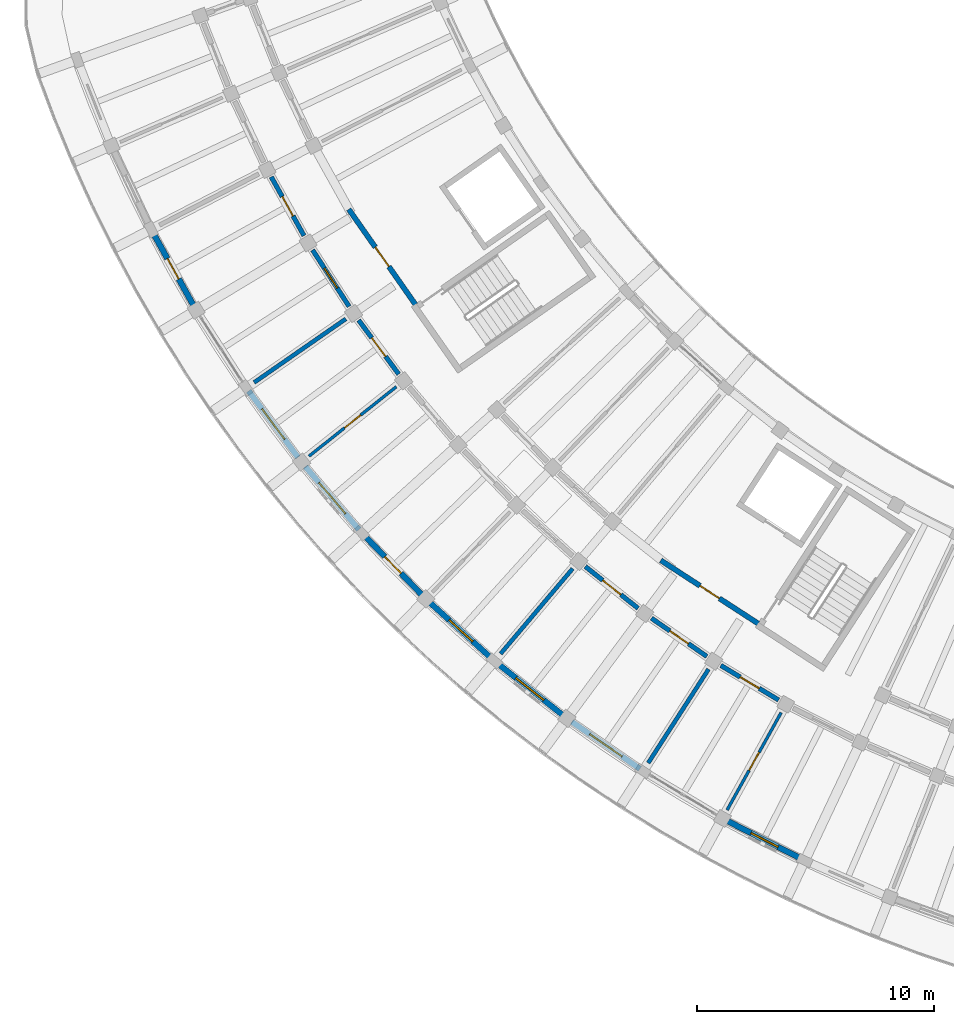
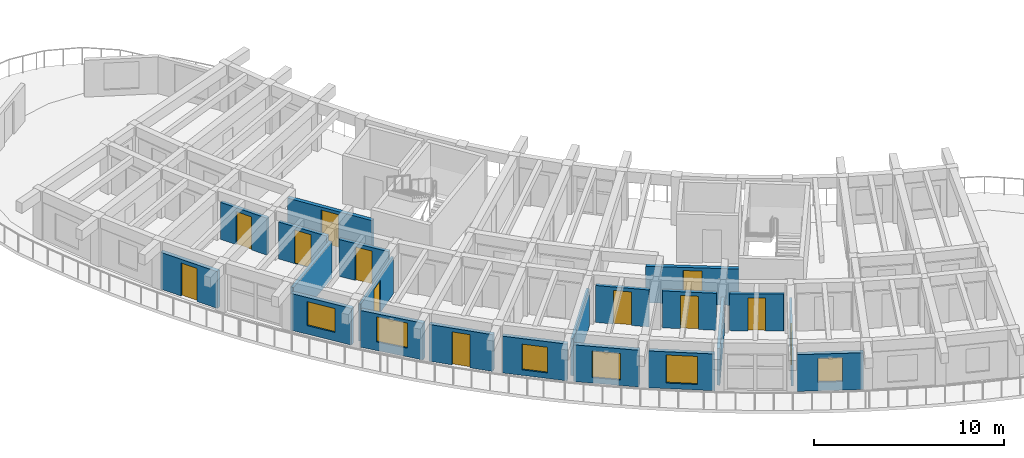
# One storey, part 37 of 78: 21 walls, 12 doors, 6 windows, 18 openings.
"""IFC4 building model written with IfcOpenShell, lengths in metres."""

from ifc_helpers import new_model, si_unit, direction, frame, frame_2d, origin, place, context, subcontext, project, spatial, rectangle, extrude, material, layer, layer_set, type_object, element, fill, save


model = new_model("IFC4")

# Units and contexts
model_context = context("Model", 3, precision=1e-05, world=origin(), true_north=direction((0.0, 1.0)))
body_context = subcontext(model_context, "Body", "Model", "MODEL_VIEW")
ifc_project = project(units=[si_unit("LENGTHUNIT", "METRE"), si_unit("AREAUNIT", "SQUARE_METRE"), si_unit("VOLUMEUNIT", "CUBIC_METRE"), si_unit("PLANEANGLEUNIT", "RADIAN"), si_unit("MASSUNIT", "GRAM", prefix="KILO")], contexts=[model_context])

# Site, building, storey
site_placement = place(None, origin())
site = spatial("IfcSite", under=ifc_project, at=site_placement, CompositionType="ELEMENT")
building_placement = place(site_placement, origin())
building = spatial("IfcBuilding", under=site, at=building_placement, Name="Tanwirah Colonnade Gardens", CompositionType="ELEMENT")
storey_placement = place(building_placement, frame((0.0, 0.0, 22.280029296875)))
storey = spatial("IfcBuildingStorey", under=building, at=storey_placement, Name="L06", CompositionType="ELEMENT", Elevation=22.280029296875)

# Wall, opening, door
ifc_material_1 = material(Name="Limestone architectural precast concrete C40/50", Category="masonry")
ifc_layer_1 = layer(ifc_material_1, 0.2451171875)
ifc_layer_set_1 = layer_set([ifc_layer_1], Name="Limestone architectural precast concrete C40/50")
wall_type_1 = type_object("IfcWallType", Name="EW-PC245", PredefinedType="SOLIDWALL", material=ifc_layer_set_1)
wall_1_placement = place(storey_placement, frame((12.136962890625, 37.09375, 0.0), z_axis=(0.0, 0.0, 1.0), x_axis=(0.486706738221, -0.87356542455, 0.0)))
wall_1 = element("IfcWall", 1, at=wall_1_placement, inside=storey, type_object=wall_type_1, Name="Block C L06 OUT Precast Facade Wall 3", PredefinedType="SOLIDWALL", context=body_context, shape_type="SweptSolid", body=[
    extrude(rectangle(XDim=3.48681640625, YDim=0.2451171875, at=frame_2d((1.743408203125, 0.0))), origin(), (0.0, 0.0, 1.0), 2.35498046875),
])
opening_1_placement = place(wall_1_placement, frame((1.25341796875, 0.0, 0.0)))
opening_1 = element("IfcOpeningElement", 2, at=opening_1_placement, cuts=wall_1, Name="Opening L06-ED154", PredefinedType="OPENING", context=body_context, shape_type="SweptSolid", body=[
    extrude(rectangle(XDim=0.97998046875, YDim=2.1201171875, at=frame_2d((0.489990234375, 1.06005859375))), frame((0.0, 0.132568359375, 0.0), z_axis=(0.0, -1.0, 0.0), x_axis=(1.0, 0.0, 0.0)), (0.0, 0.0, 1.0), 0.26513671875),
])
ifc_material_2 = material(Name="Bronze aluminium glazed balcony door", Category="aluminium")
door_type_1 = type_object("IfcDoorType", Name="ED-BAL098", OperationType="NOTDEFINED", PredefinedType="DOOR", material=ifc_material_2)
door_1_placement = place(opening_1_placement, origin())
door_1 = element("IfcDoor", 3, at=door_1_placement, inside=storey, type_object=door_type_1, Name="Balcony glazed door L06-ED154", OperationType="SINGLE_SWING_RIGHT", OverallHeight=2.1201171875, OverallWidth=0.97998046875, PredefinedType="DOOR", context=body_context, shape_type="SweptSolid", body=[
    extrude(rectangle(XDim=0.97998046875, YDim=2.1201171875, at=frame_2d((0.489990234375, 1.06005859375))), frame((0.0, 0.02490234375, 0.0), z_axis=(0.0, -1.0, 0.0), x_axis=(1.0, 0.0, 0.0)), (0.0, 0.0, 1.0), 0.050048828125),
])
fill(opening_1, door_1)

# Wall, opening, window
wall_2_placement = place(storey_placement, frame((16.166259765625, 30.42822265625, 0.0), z_axis=(0.0, 0.0, 1.0), x_axis=(0.596611432616, -0.802530247699, 0.0)))
wall_2 = element("IfcWall", 4, at=wall_2_placement, inside=storey, type_object=wall_type_1, Name="Block C L06 OUT Precast Facade Wall 5", PredefinedType="SOLIDWALL", context=body_context, shape_type="SweptSolid", body=[
    extrude(rectangle(XDim=3.48681640625, YDim=0.2451171875, at=frame_2d((1.743408203125, 0.0))), origin(), (0.0, 0.0, 1.0), 2.35498046875),
])
opening_2_placement = place(wall_2_placement, frame((0.943359375, 0.0, 0.550048828125)))
opening_2 = element("IfcOpeningElement", 5, at=opening_2_placement, cuts=wall_2, Name="Opening WIN-U12", PredefinedType="OPENING", context=body_context, shape_type="SweptSolid", body=[
    extrude(rectangle(XDim=1.60009765625, YDim=1.534912109375, at=frame_2d((0.800048828125, 0.767578125))), frame((0.0, 0.132568359375, 0.0), z_axis=(0.0, -1.0, 0.0), x_axis=(1.0, 0.0, 0.0)), (0.0, 0.0, 1.0), 0.26513671875),
])
ifc_material_3 = material(Name="Thermally broken bronze aluminium and solar low-E double glazing", Category="aluminium")
window_type_1 = type_object("IfcWindowType", Name="WIN-U12", PartitioningType="DOUBLE_PANEL_VERTICAL", PredefinedType="WINDOW", material=ifc_material_3)
window_1_placement = place(opening_2_placement, origin())
window_1 = element("IfcWindow", 6, at=window_1_placement, inside=storey, type_object=window_type_1, Name="Facade window C-L06-OUT-05", OverallHeight=1.534912109375, OverallWidth=1.60009765625, PartitioningType="SINGLE_PANEL", PredefinedType="WINDOW", context=body_context, shape_type="SweptSolid", body=[
    extrude(rectangle(XDim=1.60009765625, YDim=1.534912109375, at=frame_2d((0.800048828125, 0.767578125))), frame((0.0, 0.030029296875, 0.0), z_axis=(0.0, -1.0, 0.0), x_axis=(1.0, 0.0, 0.0)), (0.0, 0.0, 1.0), 0.06005859375),
])
fill(opening_2, window_1)

wall_3_placement = place(storey_placement, frame((18.5576171875, 27.23876953125, 0.0), z_axis=(0.0, 0.0, 1.0), x_axis=(0.647811002696, -0.761801092665, 0.0)))
wall_3 = element("IfcWall", 7, at=wall_3_placement, inside=storey, type_object=wall_type_1, Name="Block C L06 OUT Precast Facade Wall 6", PredefinedType="SOLIDWALL", context=body_context, shape_type="SweptSolid", body=[
    extrude(rectangle(XDim=3.48681640625, YDim=0.2451171875, at=frame_2d((1.743408203125, 0.0))), origin(), (0.0, 0.0, 1.0), 2.35498046875),
])
opening_3_placement = place(wall_3_placement, frame((0.88330078125, 0.0, 0.550048828125)))
opening_3 = element("IfcOpeningElement", 8, at=opening_3_placement, cuts=wall_3, Name="Opening WIN-U15", PredefinedType="OPENING", context=body_context, shape_type="SweptSolid", body=[
    extrude(rectangle(XDim=1.719970703125, YDim=1.610107421875, at=frame_2d((0.85986328125, 0.80517578125))), frame((0.0, 0.132568359375, 0.0), z_axis=(0.0, -1.0, 0.0), x_axis=(1.0, 0.0, 0.0)), (0.0, 0.0, 1.0), 0.26513671875),
])
window_type_2 = type_object("IfcWindowType", Name="WIN-U15", PartitioningType="DOUBLE_PANEL_VERTICAL", PredefinedType="WINDOW", material=ifc_material_3)
window_2_placement = place(opening_3_placement, origin())
window_2 = element("IfcWindow", 9, at=window_2_placement, inside=storey, type_object=window_type_2, Name="Facade window C-L06-OUT-06", OverallHeight=1.610107421875, OverallWidth=1.719970703125, PartitioningType="SINGLE_PANEL", PredefinedType="WINDOW", context=body_context, shape_type="SweptSolid", body=[
    extrude(rectangle(XDim=1.719970703125, YDim=1.610107421875, at=frame_2d((0.85986328125, 0.80517578125))), frame((0.0, 0.030029296875, 0.0), z_axis=(0.0, -1.0, 0.0), x_axis=(1.0, 0.0, 0.0)), (0.0, 0.0, 1.0), 0.06005859375),
])
fill(opening_3, window_2)

# Wall, opening, door
wall_4_placement = place(storey_placement, frame((21.031494140625, 24.345703125, 0.0), z_axis=(0.0, 0.0, 1.0), x_axis=(0.696205978342, -0.717842068788, 0.0)))
wall_4 = element("IfcWall", 10, at=wall_4_placement, inside=storey, type_object=wall_type_1, Name="Block C L06 OUT Precast Facade Wall 7", PredefinedType="SOLIDWALL", context=body_context, shape_type="SweptSolid", body=[
    extrude(rectangle(XDim=3.48681640625, YDim=0.2451171875, at=frame_2d((1.743408203125, 0.0))), origin(), (0.0, 0.0, 1.0), 2.35498046875),
])
opening_4_placement = place(wall_4_placement, frame((1.25341796875, 0.0, 0.0)))
opening_4 = element("IfcOpeningElement", 11, at=opening_4_placement, cuts=wall_4, Name="Opening L06-ED155", PredefinedType="OPENING", context=body_context, shape_type="SweptSolid", body=[
    extrude(rectangle(XDim=0.97998046875, YDim=2.1201171875, at=frame_2d((0.489990234375, 1.06005859375))), frame((0.0, 0.132568359375, 0.0), z_axis=(0.0, -1.0, 0.0), x_axis=(1.0, 0.0, 0.0)), (0.0, 0.0, 1.0), 0.26513671875),
])
door_2_placement = place(opening_4_placement, origin())
door_2 = element("IfcDoor", 12, at=door_2_placement, inside=storey, type_object=door_type_1, Name="Balcony glazed door L06-ED155", OperationType="SINGLE_SWING_RIGHT", OverallHeight=2.1201171875, OverallWidth=0.97998046875, PredefinedType="DOOR", context=body_context, shape_type="SweptSolid", body=[
    extrude(rectangle(XDim=0.97998046875, YDim=2.1201171875, at=frame_2d((0.489990234375, 1.06005859375))), frame((0.0, 0.02490234375, 0.0), z_axis=(0.0, -1.0, 0.0), x_axis=(1.0, 0.0, 0.0)), (0.0, 0.0, 1.0), 0.050048828125),
])
fill(opening_4, door_2)

# Wall, opening, window
wall_5_placement = place(storey_placement, frame((23.818603515625, 21.49560546875, 0.0), z_axis=(0.0, 0.0, 1.0), x_axis=(0.741648568445, -0.670788641022, 0.0)))
wall_5 = element("IfcWall", 13, at=wall_5_placement, inside=storey, type_object=wall_type_1, Name="Block C L06 OUT Precast Facade Wall 8", PredefinedType="SOLIDWALL", context=body_context, shape_type="SweptSolid", body=[
    extrude(rectangle(XDim=3.48681640625, YDim=0.2451171875, at=frame_2d((1.743408203125, 0.0))), origin(), (0.0, 0.0, 1.0), 2.35498046875),
])
opening_5_placement = place(wall_5_placement, frame((1.068359375, 0.0, 0.35009765625)))
opening_5 = element("IfcOpeningElement", 14, at=opening_5_placement, cuts=wall_5, Name="Opening WIN-T05", PredefinedType="OPENING", context=body_context, shape_type="SweptSolid", body=[
    extrude(rectangle(XDim=1.35009765625, YDim=1.64990234375, at=frame_2d((0.675048828125, 0.824951171875))), frame((0.0, 0.132568359375, 0.0), z_axis=(0.0, -1.0, 0.0), x_axis=(1.0, 0.0, 0.0)), (0.0, 0.0, 1.0), 0.26513671875),
])
window_type_3 = type_object("IfcWindowType", Name="WIN-T05", PartitioningType="DOUBLE_PANEL_VERTICAL", PredefinedType="WINDOW", material=ifc_material_3)
window_3_placement = place(opening_5_placement, origin())
window_3 = element("IfcWindow", 15, at=window_3_placement, inside=storey, type_object=window_type_3, Name="Facade window C-L06-OUT-08", OverallHeight=1.64990234375, OverallWidth=1.35009765625, PartitioningType="SINGLE_PANEL", PredefinedType="WINDOW", context=body_context, shape_type="SweptSolid", body=[
    extrude(rectangle(XDim=1.35009765625, YDim=1.64990234375, at=frame_2d((0.675048828125, 0.824951171875))), frame((0.0, 0.030029296875, 0.0), z_axis=(0.0, -1.0, 0.0), x_axis=(1.0, 0.0, 0.0)), (0.0, 0.0, 1.0), 0.06005859375),
])
fill(opening_5, window_3)

wall_6_placement = place(storey_placement, frame((26.648681640625, 18.9501953125, 0.0), z_axis=(0.0, 0.0, 1.0), x_axis=(0.78398760997, -0.620776471376, 0.0)))
wall_6 = element("IfcWall", 16, at=wall_6_placement, inside=storey, type_object=wall_type_1, Name="Block C L06 OUT Precast Facade Wall 9", PredefinedType="SOLIDWALL", context=body_context, shape_type="SweptSolid", body=[
    extrude(rectangle(XDim=3.48681640625, YDim=0.2451171875, at=frame_2d((1.743408203125, 0.0))), origin(), (0.0, 0.0, 1.0), 2.35498046875),
])
opening_6_placement = place(wall_6_placement, frame((0.993408203125, 0.0, 0.35009765625)))
opening_6 = element("IfcOpeningElement", 17, at=opening_6_placement, cuts=wall_6, Name="Opening WIN-T08", PredefinedType="OPENING", context=body_context, shape_type="SweptSolid", body=[
    extrude(rectangle(XDim=1.5, YDim=1.699951171875, at=frame_2d((0.75, 0.85009765625))), frame((0.0, 0.132568359375, 0.0), z_axis=(0.0, -1.0, 0.0), x_axis=(1.0, 0.0, 0.0)), (0.0, 0.0, 1.0), 0.26513671875),
])
window_type_4 = type_object("IfcWindowType", Name="WIN-T08", PartitioningType="DOUBLE_PANEL_VERTICAL", PredefinedType="WINDOW", material=ifc_material_3)
window_4_placement = place(opening_6_placement, origin())
window_4 = element("IfcWindow", 18, at=window_4_placement, inside=storey, type_object=window_type_4, Name="Facade window C-L06-OUT-09", OverallHeight=1.699951171875, OverallWidth=1.5, PartitioningType="SINGLE_PANEL", PredefinedType="WINDOW", context=body_context, shape_type="SweptSolid", body=[
    extrude(rectangle(XDim=1.5, YDim=1.699951171875, at=frame_2d((0.75, 0.85009765625))), frame((0.0, 0.030029296875, 0.0), z_axis=(0.0, -1.0, 0.0), x_axis=(1.0, 0.0, 0.0)), (0.0, 0.0, 1.0), 0.06005859375),
])
fill(opening_6, window_4)

wall_7_placement = place(storey_placement, frame((29.783935546875, 16.48828125, 0.0), z_axis=(0.0, 0.0, 1.0), x_axis=(0.822902356734, -0.568182815017, 0.0)))
wall_7 = element("IfcWall", 19, at=wall_7_placement, inside=storey, type_object=wall_type_1, Name="Block C L06 OUT Precast Facade Wall 10", PredefinedType="SOLIDWALL", context=body_context, shape_type="SweptSolid", body=[
    extrude(rectangle(XDim=3.48681640625, YDim=0.2451171875, at=frame_2d((1.743408203125, 0.0))), origin(), (0.0, 0.0, 1.0), 2.35498046875),
])
opening_7_placement = place(wall_7_placement, frame((0.91845703125, 0.0, 0.35009765625)))
opening_7 = element("IfcOpeningElement", 20, at=opening_7_placement, cuts=wall_7, Name="Opening WIN-T11", PredefinedType="OPENING", context=body_context, shape_type="SweptSolid", body=[
    extrude(rectangle(XDim=1.64990234375, YDim=1.800048828125, at=frame_2d((0.824951171875, 0.89990234375))), frame((0.0, 0.132568359375, 0.0), z_axis=(0.0, -1.0, 0.0), x_axis=(1.0, 0.0, 0.0)), (0.0, 0.0, 1.0), 0.26513671875),
])
window_type_5 = type_object("IfcWindowType", Name="WIN-T11", PartitioningType="DOUBLE_PANEL_VERTICAL", PredefinedType="WINDOW", material=ifc_material_3)
window_5_placement = place(opening_7_placement, origin())
window_5 = element("IfcWindow", 21, at=window_5_placement, inside=storey, type_object=window_type_5, Name="Facade window C-L06-OUT-10", OverallHeight=1.800048828125, OverallWidth=1.64990234375, PartitioningType="SINGLE_PANEL", PredefinedType="WINDOW", context=body_context, shape_type="SweptSolid", body=[
    extrude(rectangle(XDim=1.64990234375, YDim=1.800048828125, at=frame_2d((0.824951171875, 0.89990234375))), frame((0.0, 0.030029296875, 0.0), z_axis=(0.0, -1.0, 0.0), x_axis=(1.0, 0.0, 0.0)), (0.0, 0.0, 1.0), 0.06005859375),
])
fill(opening_7, window_5)

wall_8_placement = place(storey_placement, frame((36.35205078125, 12.302490234375, 0.0), z_axis=(0.0, 0.0, 1.0), x_axis=(0.890001092753, -0.45595839163, 0.0)))
wall_8 = element("IfcWall", 22, at=wall_8_placement, inside=storey, type_object=wall_type_1, Name="Block C L06 OUT Precast Facade Wall 12", PredefinedType="SOLIDWALL", context=body_context, shape_type="SweptSolid", body=[
    extrude(rectangle(XDim=3.48681640625, YDim=0.2451171875, at=frame_2d((1.743408203125, 0.0))), origin(), (0.0, 0.0, 1.0), 2.35498046875),
])
opening_8_placement = place(wall_8_placement, frame((1.103515625, 0.0, 0.550048828125)))
opening_8 = element("IfcOpeningElement", 23, at=opening_8_placement, cuts=wall_8, Name="Opening WIN-T17", PredefinedType="OPENING", context=body_context, shape_type="SweptSolid", body=[
    extrude(rectangle(XDim=1.280029296875, YDim=1.52001953125, at=frame_2d((0.64013671875, 0.760009765625))), frame((0.0, 0.132568359375, 0.0), z_axis=(0.0, -1.0, 0.0), x_axis=(1.0, 0.0, 0.0)), (0.0, 0.0, 1.0), 0.26513671875),
])
window_type_6 = type_object("IfcWindowType", Name="WIN-T17", PartitioningType="SINGLE_PANEL", PredefinedType="WINDOW", material=ifc_material_3)
window_6_placement = place(opening_8_placement, origin())
window_6 = element("IfcWindow", 24, at=window_6_placement, inside=storey, type_object=window_type_6, Name="Facade window C-L06-OUT-12", OverallHeight=1.52001953125, OverallWidth=1.280029296875, PartitioningType="SINGLE_PANEL", PredefinedType="WINDOW", context=body_context, shape_type="SweptSolid", body=[
    extrude(rectangle(XDim=1.280029296875, YDim=1.52001953125, at=frame_2d((0.64013671875, 0.760009765625))), frame((0.0, 0.030029296875, 0.0), z_axis=(0.0, -1.0, 0.0), x_axis=(1.0, 0.0, 0.0)), (0.0, 0.0, 1.0), 0.06005859375),
])
fill(opening_8, window_6)

# Wall, opening, door
ifc_material_4 = material(Name="Precast concrete C40/50", Category="concrete")
ifc_layer_2 = layer(ifc_material_4, 0.195068359375)
ifc_layer_set_2 = layer_set([ifc_layer_2], Name="Precast concrete C40/50")
wall_type_2 = type_object("IfcWallType", Name="IW-CORR195", PredefinedType="PARTITIONING", material=ifc_layer_set_2)
wall_9_placement = place(storey_placement, frame((17.118896484375, 39.4462890625, 0.0), z_axis=(0.0, 0.0, 1.0), x_axis=(0.48673124079, -0.8735517725, 0.0)))
wall_9 = element("IfcWall", 25, at=wall_9_placement, inside=storey, type_object=wall_type_2, Name="Block C L06 OUT Corridor Wall 3", PredefinedType="PARTITIONING", context=body_context, shape_type="SweptSolid", body=[
    extrude(rectangle(XDim=2.8369140625, YDim=0.195068359375, at=frame_2d((1.41845703125, 0.0))), origin(), (0.0, 0.0, 1.0), 2.369873046875),
])
opening_9_placement = place(wall_9_placement, frame((0.95361328125, 0.0, 0.0)))
opening_9 = element("IfcOpeningElement", 26, at=opening_9_placement, cuts=wall_9, Name="Opening L06-AD1512", PredefinedType="OPENING", context=body_context, shape_type="SweptSolid", body=[
    extrude(rectangle(XDim=0.929931640625, YDim=2.1201171875, at=frame_2d((0.46484375, 1.06005859375))), frame((0.0, 0.107421875, 0.0), z_axis=(0.0, -1.0, 0.0), x_axis=(1.0, 0.0, 0.0)), (0.0, 0.0, 1.0), 0.215087890625),
])
ifc_material_5 = material(Name="Solid oak fire-resisting apartment entrance door")
door_type_2 = type_object("IfcDoorType", Name="ID-FLT093", OperationType="NOTDEFINED", PredefinedType="DOOR", material=ifc_material_5)
door_3_placement = place(opening_9_placement, origin())
door_3 = element("IfcDoor", 27, at=door_3_placement, inside=storey, type_object=door_type_2, Name="Apartment corridor door L06-AD1512", OperationType="SINGLE_SWING_RIGHT", OverallHeight=2.1201171875, OverallWidth=0.929931640625, PredefinedType="DOOR", context=body_context, shape_type="SweptSolid", body=[
    extrude(rectangle(XDim=0.929931640625, YDim=2.1201171875, at=frame_2d((0.46484375, 1.06005859375))), frame((0.0, 0.02490234375, 0.0), z_axis=(0.0, -1.0, 0.0), x_axis=(1.0, 0.0, 0.0)), (0.0, 0.0, 1.0), 0.050048828125),
])
fill(opening_9, door_3)

wall_10_placement = place(storey_placement, frame((18.860107421875, 36.3681640625, 0.0), z_axis=(0.0, 0.0, 1.0), x_axis=(0.542787304957, -0.83987019329, 0.0)))
wall_10 = element("IfcWall", 28, at=wall_10_placement, inside=storey, type_object=wall_type_2, Name="Block C L06 OUT Corridor Wall 4", PredefinedType="PARTITIONING", context=body_context, shape_type="SweptSolid", body=[
    extrude(rectangle(XDim=2.8369140625, YDim=0.195068359375, at=frame_2d((1.41845703125, 0.0))), origin(), (0.0, 0.0, 1.0), 2.369873046875),
])
opening_10_placement = place(wall_10_placement, frame((0.923583984375, 0.0, 0.0)))
opening_10 = element("IfcOpeningElement", 29, at=opening_10_placement, cuts=wall_10, Name="Opening L06-AD1513", PredefinedType="OPENING", context=body_context, shape_type="SweptSolid", body=[
    extrude(rectangle(XDim=0.989990234375, YDim=2.159912109375, at=frame_2d((0.4951171875, 1.080078125))), frame((0.0, 0.107421875, 0.0), z_axis=(0.0, -1.0, 0.0), x_axis=(1.0, 0.0, 0.0)), (0.0, 0.0, 1.0), 0.215087890625),
])
door_type_3 = type_object("IfcDoorType", Name="ID-FLT099", OperationType="NOTDEFINED", PredefinedType="DOOR", material=ifc_material_5)
door_4_placement = place(opening_10_placement, origin())
door_4 = element("IfcDoor", 30, at=door_4_placement, inside=storey, type_object=door_type_3, Name="Apartment corridor door L06-AD1513", OperationType="SINGLE_SWING_LEFT", OverallHeight=2.159912109375, OverallWidth=0.989990234375, PredefinedType="DOOR", context=body_context, shape_type="SweptSolid", body=[
    extrude(rectangle(XDim=0.989990234375, YDim=2.159912109375, at=frame_2d((0.4951171875, 1.080078125))), frame((0.0, 0.02490234375, 0.0), z_axis=(0.0, -1.0, 0.0), x_axis=(1.0, 0.0, 0.0)), (0.0, 0.0, 1.0), 0.050048828125),
])
fill(opening_10, door_4)

wall_11_placement = place(storey_placement, frame((20.798828125, 33.410888671875, 0.0), z_axis=(0.0, 0.0, 1.0), x_axis=(0.596552136601, -0.802574325727, 0.0)))
wall_11 = element("IfcWall", 31, at=wall_11_placement, inside=storey, type_object=wall_type_2, Name="Block C L06 OUT Corridor Wall 5", PredefinedType="PARTITIONING", context=body_context, shape_type="SweptSolid", body=[
    extrude(rectangle(XDim=2.8369140625, YDim=0.195068359375, at=frame_2d((1.41845703125, 0.0))), origin(), (0.0, 0.0, 1.0), 2.369873046875),
])
opening_11_placement = place(wall_11_placement, frame((0.93359375, 0.0, 0.0)))
opening_11 = element("IfcOpeningElement", 32, at=opening_11_placement, cuts=wall_11, Name="Opening L06-AD1514", PredefinedType="OPENING", context=body_context, shape_type="SweptSolid", body=[
    extrude(rectangle(XDim=0.969970703125, YDim=2.14990234375, at=frame_2d((0.48486328125, 1.074951171875))), frame((0.0, 0.107421875, 0.0), z_axis=(0.0, -1.0, 0.0), x_axis=(1.0, 0.0, 0.0)), (0.0, 0.0, 1.0), 0.215087890625),
])
door_type_4 = type_object("IfcDoorType", Name="ID-FLT097", OperationType="NOTDEFINED", PredefinedType="DOOR", material=ifc_material_5)
door_5_placement = place(opening_11_placement, origin())
door_5 = element("IfcDoor", 33, at=door_5_placement, inside=storey, type_object=door_type_4, Name="Apartment corridor door L06-AD1514", OperationType="SINGLE_SWING_RIGHT", OverallHeight=2.14990234375, OverallWidth=0.969970703125, PredefinedType="DOOR", context=body_context, shape_type="SweptSolid", body=[
    extrude(rectangle(XDim=0.969970703125, YDim=2.14990234375, at=frame_2d((0.48486328125, 1.074951171875))), frame((0.0, 0.02490234375, 0.0), z_axis=(0.0, -1.0, 0.0), x_axis=(1.0, 0.0, 0.0)), (0.0, 0.0, 1.0), 0.050048828125),
])
fill(opening_11, door_5)

wall_12_placement = place(storey_placement, frame((30.351318359375, 23.030029296875, 0.0), z_axis=(0.0, 0.0, 1.0), x_axis=(0.783965548427, -0.620804332201, 0.0)))
wall_12 = element("IfcWall", 34, at=wall_12_placement, inside=storey, type_object=wall_type_2, Name="Block C L06 OUT Corridor Wall 9", PredefinedType="PARTITIONING", context=body_context, shape_type="SweptSolid", body=[
    extrude(rectangle(XDim=2.8369140625, YDim=0.195068359375, at=frame_2d((1.41845703125, 0.0))), origin(), (0.0, 0.0, 1.0), 2.369873046875),
])
opening_12_placement = place(wall_12_placement, frame((0.93359375, 0.0, 0.0)))
opening_12 = element("IfcOpeningElement", 35, at=opening_12_placement, cuts=wall_12, Name="Opening L06-AD1525", PredefinedType="OPENING", context=body_context, shape_type="SweptSolid", body=[
    extrude(rectangle(XDim=0.969970703125, YDim=2.14990234375, at=frame_2d((0.48486328125, 1.074951171875))), frame((0.0, 0.107421875, 0.0), z_axis=(0.0, -1.0, 0.0), x_axis=(1.0, 0.0, 0.0)), (0.0, 0.0, 1.0), 0.215087890625),
])
door_6_placement = place(opening_12_placement, origin())
door_6 = element("IfcDoor", 36, at=door_6_placement, inside=storey, type_object=door_type_4, Name="Apartment corridor door L06-AD1525", OperationType="SINGLE_SWING_RIGHT", OverallHeight=2.14990234375, OverallWidth=0.969970703125, PredefinedType="DOOR", context=body_context, shape_type="SweptSolid", body=[
    extrude(rectangle(XDim=0.969970703125, YDim=2.14990234375, at=frame_2d((0.48486328125, 1.074951171875))), frame((0.0, 0.02490234375, 0.0), z_axis=(0.0, -1.0, 0.0), x_axis=(1.0, 0.0, 0.0)), (0.0, 0.0, 1.0), 0.050048828125),
])
fill(opening_12, door_6)

wall_13_placement = place(storey_placement, frame((33.137939453125, 20.852783203125, 0.0), z_axis=(0.0, 0.0, 1.0), x_axis=(0.822870075235, -0.568229565653, 0.0)))
wall_13 = element("IfcWall", 37, at=wall_13_placement, inside=storey, type_object=wall_type_2, Name="Block C L06 OUT Corridor Wall 10", PredefinedType="PARTITIONING", context=body_context, shape_type="SweptSolid", body=[
    extrude(rectangle(XDim=2.8369140625, YDim=0.195068359375, at=frame_2d((1.41845703125, 0.0))), origin(), (0.0, 0.0, 1.0), 2.369873046875),
])
opening_13_placement = place(wall_13_placement, frame((0.943603515625, 0.0, 0.0)))
opening_13 = element("IfcOpeningElement", 38, at=opening_13_placement, cuts=wall_13, Name="Opening L06-AD1526", PredefinedType="OPENING", context=body_context, shape_type="SweptSolid", body=[
    extrude(rectangle(XDim=0.949951171875, YDim=2.1298828125, at=frame_2d((0.47509765625, 1.06494140625))), frame((0.0, 0.107421875, 0.0), z_axis=(0.0, -1.0, 0.0), x_axis=(1.0, 0.0, 0.0)), (0.0, 0.0, 1.0), 0.215087890625),
])
door_type_5 = type_object("IfcDoorType", Name="ID-FLT095", OperationType="NOTDEFINED", PredefinedType="DOOR", material=ifc_material_5)
door_7_placement = place(opening_13_placement, origin())
door_7 = element("IfcDoor", 39, at=door_7_placement, inside=storey, type_object=door_type_5, Name="Apartment corridor door L06-AD1526", OperationType="SINGLE_SWING_LEFT", OverallHeight=2.1298828125, OverallWidth=0.949951171875, PredefinedType="DOOR", context=body_context, shape_type="SweptSolid", body=[
    extrude(rectangle(XDim=0.949951171875, YDim=2.1298828125, at=frame_2d((0.47509765625, 1.06494140625))), frame((0.0, 0.02490234375, 0.0), z_axis=(0.0, -1.0, 0.0), x_axis=(1.0, 0.0, 0.0)), (0.0, 0.0, 1.0), 0.050048828125),
])
fill(opening_13, door_7)

wall_14_placement = place(storey_placement, frame((36.060791015625, 18.8623046875, 0.0), z_axis=(0.0, 0.0, 1.0), x_axis=(0.858281647443, -0.51317892948, 0.0)))
wall_14 = element("IfcWall", 40, at=wall_14_placement, inside=storey, type_object=wall_type_2, Name="Block C L06 OUT Corridor Wall 11", PredefinedType="PARTITIONING", context=body_context, shape_type="SweptSolid", body=[
    extrude(rectangle(XDim=2.8369140625, YDim=0.195068359375, at=frame_2d((1.41845703125, 0.0))), origin(), (0.0, 0.0, 1.0), 2.369873046875),
])
opening_14_placement = place(wall_14_placement, frame((0.95361328125, 0.0, 0.0)))
opening_14 = element("IfcOpeningElement", 41, at=opening_14_placement, cuts=wall_14, Name="Opening L06-AD1527", PredefinedType="OPENING", context=body_context, shape_type="SweptSolid", body=[
    extrude(rectangle(XDim=0.929931640625, YDim=2.1201171875, at=frame_2d((0.46484375, 1.06005859375))), frame((0.0, 0.107421875, 0.0), z_axis=(0.0, -1.0, 0.0), x_axis=(1.0, 0.0, 0.0)), (0.0, 0.0, 1.0), 0.215087890625),
])
door_8_placement = place(opening_14_placement, origin())
door_8 = element("IfcDoor", 42, at=door_8_placement, inside=storey, type_object=door_type_2, Name="Apartment corridor door L06-AD1527", OperationType="SINGLE_SWING_RIGHT", OverallHeight=2.1201171875, OverallWidth=0.929931640625, PredefinedType="DOOR", context=body_context, shape_type="SweptSolid", body=[
    extrude(rectangle(XDim=0.929931640625, YDim=2.1201171875, at=frame_2d((0.46484375, 1.06005859375))), frame((0.0, 0.02490234375, 0.0), z_axis=(0.0, -1.0, 0.0), x_axis=(1.0, 0.0, 0.0)), (0.0, 0.0, 1.0), 0.050048828125),
])
fill(opening_14, door_8)

# Walls
ifc_layer_3 = layer(ifc_material_4, 0.175048828125)
ifc_layer_set_3 = layer_set([ifc_layer_3], Name="Precast concrete C40/50")
wall_type_3 = type_object("IfcWallType", Name="IW-DEM175", PredefinedType="PARTITIONING", material=ifc_layer_set_3)
for number, where, z_axis, x_axis, name in (
    (43, (20.26123046875, 33.463623046875, 0.0), (0.0, 0.0, 1.0), (-0.821638260647, -0.570009270663, 0.0), "Block C L06 Radial Partition 4"),
    (44, (29.818603515625, 22.94189453125, 0.0), (0.0, 0.0, 1.0), (-0.646137818229, -0.76322075434, 0.0), "Block C L06 Radial Partition 8"),
    (45, (35.5439453125, 18.705322265625, 0.0), (0.0, 0.0, 1.0), (-0.540959731567, -0.84104849374, 0.0), "Block C L06 Radial Partition 10"),
):
    element("IfcWall", number, at=place(storey_placement, frame(where, z_axis=z_axis, x_axis=x_axis)), inside=storey, type_object=wall_type_3, Name=name, PredefinedType="PARTITIONING", context=body_context, shape_type="SweptSolid", body=[
        extrude(rectangle(XDim=4.699951171875, YDim=0.175048828125, at=frame_2d((2.35009765625, 0.0))), origin(), (0.0, 0.0, 1.0), 2.369873046875),
    ])

# Wall, opening, door
ifc_material_6 = material(Name="Autoclaved aerated masonry blockwork", Category="masonry")
ifc_layer_4 = layer(ifc_material_6, 0.219970703125)
ifc_layer_set_4 = layer_set([ifc_layer_4], Name="Autoclaved aerated masonry blockwork")
wall_type_4 = type_object("IfcWallType", Name="IW-FFL220", PredefinedType="PARTITIONING", material=ifc_layer_set_4)
wall_15_placement = place(storey_placement, frame((23.19482421875, 34.06787109375, 0.0), z_axis=(0.0, 0.0, 1.0), x_axis=(-0.573572687386, 0.819154669329, 0.0)))
wall_15 = element("IfcWall", 46, at=wall_15_placement, inside=storey, type_object=wall_type_4, Name="CORE-C1 L06 Enclosed Lobby Fire Wall", PredefinedType="PARTITIONING", context=body_context, shape_type="SweptSolid", body=[
    extrude(rectangle(XDim=4.900146484375, YDim=0.219970703125, at=frame_2d((2.4501953125, 0.0))), origin(), (0.0, 0.0, 1.0), 2.340087890625),
])
opening_15_placement = place(wall_15_placement, frame((1.949951171875, 0.0, 0.0)))
opening_15 = element("IfcOpeningElement", 47, at=opening_15_placement, cuts=wall_15, Name="Opening L06-LD140", PredefinedType="OPENING", context=body_context, shape_type="SweptSolid", body=[
    extrude(rectangle(XDim=1.0, YDim=2.14990234375, at=frame_2d((0.5, 1.074951171875))), frame((0.0, 0.119873046875, 0.0), z_axis=(0.0, -1.0, 0.0), x_axis=(1.0, 0.0, 0.0)), (0.0, 0.0, 1.0), 0.239990234375),
])
ifc_material_7 = material(Name="Acoustic fire-resisting lobby door")
door_type_6 = type_object("IfcDoorType", Name="ID-FFL100", OperationType="NOTDEFINED", PredefinedType="DOOR", material=ifc_material_7)
door_9_placement = place(opening_15_placement, origin())
door_9 = element("IfcDoor", 48, at=door_9_placement, inside=storey, type_object=door_type_6, Name="CORE-C1 L06 Lobby Fire Door L06-LD140", OperationType="SINGLE_SWING_LEFT", OverallHeight=2.14990234375, OverallWidth=1.0, PredefinedType="DOOR", context=body_context, shape_type="SweptSolid", body=[
    extrude(rectangle(XDim=1.0, YDim=2.14990234375, at=frame_2d((0.5, 1.074951171875))), frame((0.0, 0.02490234375, 0.0), z_axis=(0.0, -1.0, 0.0), x_axis=(1.0, 0.0, 0.0)), (0.0, 0.0, 1.0), 0.050048828125),
])
fill(opening_15, door_9)

wall_16_placement = place(storey_placement, frame((37.638916015625, 20.623291015625, 0.0), z_axis=(0.0, 0.0, 1.0), x_axis=(-0.838681446513, 0.544622283124, 0.0)))
wall_16 = element("IfcWall", 49, at=wall_16_placement, inside=storey, type_object=wall_type_4, Name="CORE-C2 L06 Enclosed Lobby Fire Wall", PredefinedType="PARTITIONING", context=body_context, shape_type="SweptSolid", body=[
    extrude(rectangle(XDim=4.900146484375, YDim=0.219970703125, at=frame_2d((2.4501953125, 0.0))), origin(), (0.0, 0.0, 1.0), 2.340087890625),
])
opening_16_placement = place(wall_16_placement, frame((1.949951171875, 0.0, 0.0)))
opening_16 = element("IfcOpeningElement", 50, at=opening_16_placement, cuts=wall_16, Name="Opening L06-LD164", PredefinedType="OPENING", context=body_context, shape_type="SweptSolid", body=[
    extrude(rectangle(XDim=0.97998046875, YDim=2.139892578125, at=frame_2d((0.489990234375, 1.06982421875))), frame((0.0, 0.119873046875, 0.0), z_axis=(0.0, -1.0, 0.0), x_axis=(1.0, 0.0, 0.0)), (0.0, 0.0, 1.0), 0.239990234375),
])
door_type_7 = type_object("IfcDoorType", Name="ID-FFL098", OperationType="NOTDEFINED", PredefinedType="DOOR", material=ifc_material_7)
door_10_placement = place(opening_16_placement, origin())
door_10 = element("IfcDoor", 51, at=door_10_placement, inside=storey, type_object=door_type_7, Name="CORE-C2 L06 Lobby Fire Door L06-LD164", OperationType="SINGLE_SWING_LEFT", OverallHeight=2.139892578125, OverallWidth=0.97998046875, PredefinedType="DOOR", context=body_context, shape_type="SweptSolid", body=[
    extrude(rectangle(XDim=0.97998046875, YDim=2.139892578125, at=frame_2d((0.489990234375, 1.06982421875))), frame((0.0, 0.02490234375, 0.0), z_axis=(0.0, -1.0, 0.0), x_axis=(1.0, 0.0, 0.0)), (0.0, 0.0, 1.0), 0.050048828125),
])
fill(opening_16, door_10)

ifc_material_8 = material(Name="Moisture-resistant gypsum stud partition")
ifc_layer_5 = layer(ifc_material_8, 0.125)
ifc_layer_set_5 = layer_set([ifc_layer_5], Name="Moisture-resistant gypsum stud partition")
wall_type_5 = type_object("IfcWallType", Name="IW-INT125", PredefinedType="PARTITIONING", material=ifc_layer_set_5)
wall_17_placement = place(storey_placement, frame((22.386962890625, 30.60400390625, 0.0), z_axis=(0.0, 0.0, 1.0), x_axis=(-0.782609106384, -0.622513442911, 0.0)))
wall_17 = element("IfcWall", 52, at=wall_17_placement, inside=storey, type_object=wall_type_5, Name="Block C L06 Radial Partition 5", PredefinedType="PARTITIONING", context=body_context, shape_type="SweptSolid", body=[
    extrude(rectangle(XDim=4.699951171875, YDim=0.125, at=frame_2d((2.35009765625, 0.0))), origin(), (0.0, 0.0, 1.0), 2.369873046875),
])
opening_17_placement = place(wall_17_placement, frame((1.9150390625, 0.0, 0.0)))
opening_17 = element("IfcOpeningElement", 53, at=opening_17_placement, cuts=wall_17, Name="Opening L06-RD1515", PredefinedType="OPENING", context=body_context, shape_type="SweptSolid", body=[
    extrude(rectangle(XDim=0.8701171875, YDim=2.080078125, at=frame_2d((0.43505859375, 1.0400390625))), frame((0.0, 0.072509765625, 0.0), z_axis=(0.0, -1.0, 0.0), x_axis=(1.0, 0.0, 0.0)), (0.0, 0.0, 1.0), 0.14501953125),
])
ifc_material_9 = material(Name="Painted hardwood study door", Category="wood")
door_type_8 = type_object("IfcDoorType", Name="ID-RM087", OperationType="NOTDEFINED", PredefinedType="DOOR", material=ifc_material_9)
door_11_placement = place(opening_17_placement, origin())
door_11 = element("IfcDoor", 54, at=door_11_placement, inside=storey, type_object=door_type_8, Name="Internal apartment door L06-RD1515", OperationType="SINGLE_SWING_RIGHT", OverallHeight=2.080078125, OverallWidth=0.8701171875, PredefinedType="DOOR", context=body_context, shape_type="SweptSolid", body=[
    extrude(rectangle(XDim=0.8701171875, YDim=2.080078125, at=frame_2d((0.43505859375, 1.0400390625))), frame((0.0, 0.02490234375, 0.0), z_axis=(0.0, -1.0, 0.0), x_axis=(1.0, 0.0, 0.0)), (0.0, 0.0, 1.0), 0.050048828125),
])
fill(opening_17, door_11)

wall_18_placement = place(storey_placement, frame((38.60205078125, 16.876953125, 0.0), z_axis=(0.0, 0.0, 1.0), x_axis=(-0.484813534336, -0.874617537513, 0.0)))
wall_18 = element("IfcWall", 55, at=wall_18_placement, inside=storey, type_object=wall_type_5, Name="Block C L06 Radial Partition 11", PredefinedType="PARTITIONING", context=body_context, shape_type="SweptSolid", body=[
    extrude(rectangle(XDim=4.699951171875, YDim=0.125, at=frame_2d((2.35009765625, 0.0))), origin(), (0.0, 0.0, 1.0), 2.369873046875),
])
opening_18_placement = place(wall_18_placement, frame((1.9150390625, 0.0, 0.0)))
opening_18 = element("IfcOpeningElement", 56, at=opening_18_placement, cuts=wall_18, Name="Opening L06-RD1528", PredefinedType="OPENING", context=body_context, shape_type="SweptSolid", body=[
    extrude(rectangle(XDim=0.8701171875, YDim=2.080078125, at=frame_2d((0.43505859375, 1.0400390625))), frame((0.0, 0.072509765625, 0.0), z_axis=(0.0, -1.0, 0.0), x_axis=(1.0, 0.0, 0.0)), (0.0, 0.0, 1.0), 0.14501953125),
])
door_12_placement = place(opening_18_placement, origin())
door_12 = element("IfcDoor", 57, at=door_12_placement, inside=storey, type_object=door_type_8, Name="Internal apartment door L06-RD1528", OperationType="SINGLE_SWING_RIGHT", OverallHeight=2.080078125, OverallWidth=0.8701171875, PredefinedType="DOOR", context=body_context, shape_type="SweptSolid", body=[
    extrude(rectangle(XDim=0.8701171875, YDim=2.080078125, at=frame_2d((0.43505859375, 1.0400390625))), frame((0.0, 0.02490234375, 0.0), z_axis=(0.0, -1.0, 0.0), x_axis=(1.0, 0.0, 0.0)), (0.0, 0.0, 1.0), 0.050048828125),
])
fill(opening_18, door_12)

save(model, "model.ifc")
